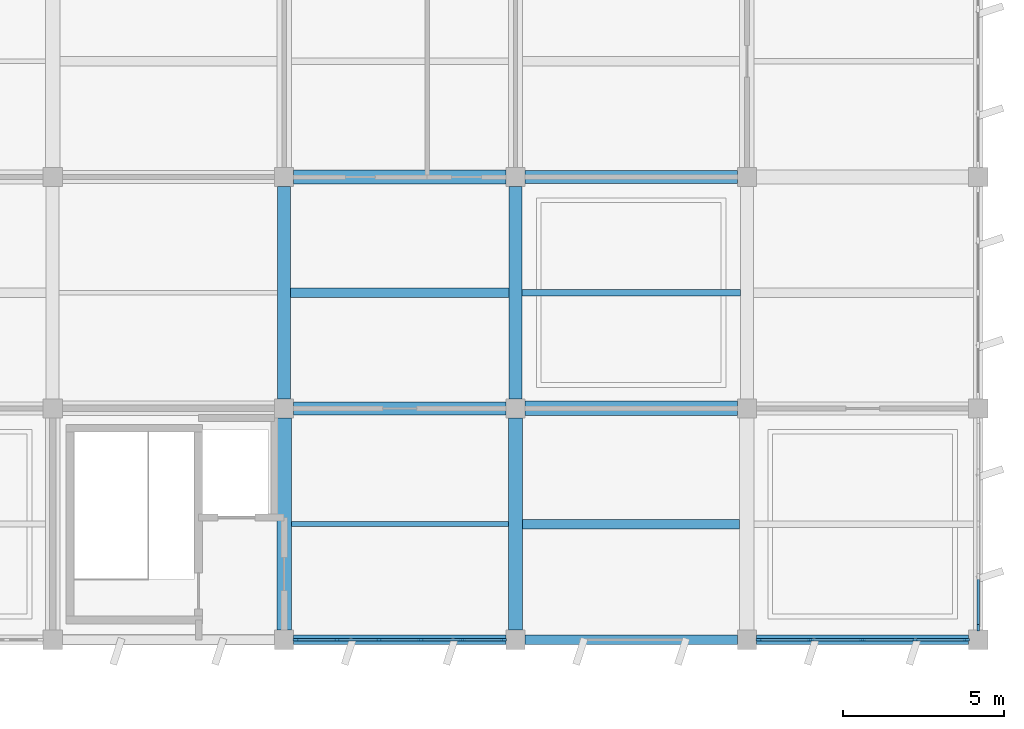
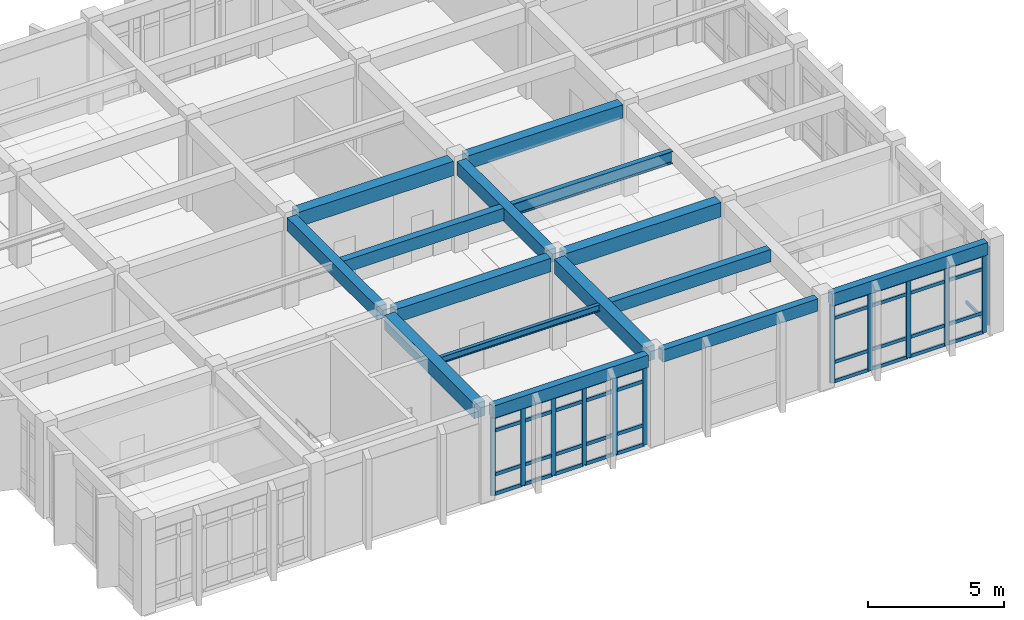
# One storey, part 22 of 70: 51 members, 13 beams, 3 elements without a shape of their own.
"""IFC4 building model written with IfcOpenShell, lengths in metres."""

from ifc_helpers import new_model, si_unit, direction, frame, origin, origin_2d, place, context, subcontext, project, spatial, rectangle, i_section, extrude, material, layer, layer_set, material_profile, profile_set, type_object, element, aggregate, save


model = new_model("IFC4")

# Units and contexts
model_context = context("Model", 3, precision=1e-05, world=origin(), true_north=direction((0.0, 1.0)))
body_context = subcontext(model_context, "Body", "Model", "MODEL_VIEW")
ifc_project = project(units=[si_unit("LENGTHUNIT", "METRE"), si_unit("AREAUNIT", "SQUARE_METRE"), si_unit("VOLUMEUNIT", "CUBIC_METRE"), si_unit("PLANEANGLEUNIT", "RADIAN"), si_unit("MASSUNIT", "GRAM", prefix="KILO")], contexts=[model_context])

# Site, building, storey
site_placement = place(None, origin())
site = spatial("IfcSite", under=ifc_project, at=site_placement, CompositionType="ELEMENT")
building_placement = place(site_placement, origin())
building = spatial("IfcBuilding", under=site, at=building_placement, Name="Kavelor Marine Aquarium", CompositionType="ELEMENT")
storey_placement = place(building_placement, frame((0.0, 0.0, 9.179931640625)))
storey = spatial("IfcBuildingStorey", under=building, at=storey_placement, Name="L02", CompositionType="ELEMENT", Elevation=9.179931640625)

# Beams
ifc_material_1 = material(Name="Concrete C40/50", Category="concrete")
ifc_material_profile_1 = material_profile(ifc_material_1, rectangle(XDim=0.449951171875, YDim=0.64990234375, at=origin_2d()), Name="RC-BM 450x650")
ifc_profile_set_1 = profile_set([ifc_material_profile_1], Name="Concrete C40/50")
beam_type_1 = type_object("IfcBeamType", Name="BM-B3", PredefinedType="BEAM", material=ifc_profile_set_1)
for number, where, z_axis, x_axis, name in (
    (1, (133.10009765625, 17.199951171875, 3.755126953125), (1.0, 0.0, 0.0), (0.0, 1.0, 0.0), "bm:x:L02:L03:18_02"),
    (2, (140.300048828125, 10.0, 3.755126953125), (1.0, 0.0, 0.0), (0.0, 1.0, 0.0), "bm:x:L02:L03:19_01"),
    (3, (132.800048828125, 3.10009765625, 3.755126953125), (0.0, 1.0, 0.0), (-1.0, 0.0, 0.0), "bm:y:L02:L03:18_00"),
    (4, (140.0, 3.10009765625, 3.755126953125), (0.0, 1.0, 0.0), (-1.0, 0.0, 0.0), "bm:y:L02:L03:19_00"),
):
    element("IfcBeam", number, at=place(storey_placement, frame(where, z_axis=z_axis, x_axis=x_axis)), inside=storey, type_object=beam_type_1, Name=name, PredefinedType="BEAM", context=body_context, shape_type="SweptSolid", body=[
        extrude(rectangle(XDim=0.449951171875, YDim=0.64990234375, at=origin_2d()), origin(), (0.0, 0.0, 1.0), 6.599853515625),
    ])
ifc_material_2 = material(Name="Concrete C40/50", Category="concrete")
ifc_material_profile_2 = material_profile(ifc_material_2, rectangle(XDim=0.39990234375, YDim=0.60009765625, at=origin_2d()), Name="RC-BM 400x600")
ifc_profile_set_2 = profile_set([ifc_material_profile_2], Name="Concrete C40/50")
beam_type_2 = type_object("IfcBeamType", Name="BM-B4", PredefinedType="BEAM", material=ifc_profile_set_2)
for number, where, z_axis, x_axis, name in (
    (5, (133.10009765625, 10.0, 3.780029296875), (1.0, 0.0, 0.0), (0.0, 1.0, 0.0), "bm:x:L02:L03:18_01"),
    (6, (140.300048828125, 17.199951171875, 3.780029296875), (1.0, 0.0, 0.0), (0.0, 1.0, 0.0), "bm:x:L02:L03:19_02"),
    (7, (132.800048828125, 10.300048828125, 3.780029296875), (0.0, 1.0, 0.0), (-1.0, 0.0, 0.0), "bm:y:L02:L03:18_01"),
    (8, (140.0, 10.300048828125, 3.780029296875), (0.0, 1.0, 0.0), (-1.0, 0.0, 0.0), "bm:y:L02:L03:19_01"),
):
    element("IfcBeam", number, at=place(storey_placement, frame(where, z_axis=z_axis, x_axis=x_axis)), inside=storey, type_object=beam_type_2, Name=name, PredefinedType="BEAM", context=body_context, shape_type="SweptSolid", body=[
        extrude(rectangle(XDim=0.39990234375, YDim=0.60009765625, at=origin_2d()), origin(), (0.0, 0.0, 1.0), 6.599853515625),
    ])
ifc_material_3 = material(Name="Concrete C40/50", Category="concrete")
ifc_material_profile_3 = material_profile(ifc_material_3, rectangle(XDim=0.300048828125, YDim=0.550048828125, at=origin_2d()), Name="RC-JS 300x550")
ifc_profile_set_3 = profile_set([ifc_material_profile_3], Name="Concrete C40/50")
beam_type_3 = type_object("IfcBeamType", Name="BM-JS2", PredefinedType="JOIST", material=ifc_profile_set_3)
beam_1_placement = place(storey_placement, frame((133.0, 13.60009765625, 3.80517578125), z_axis=(1.0, 0.0, 0.0), x_axis=(0.0, 1.0, 0.0)))
element("IfcBeam", 9, at=beam_1_placement, inside=storey, type_object=beam_type_3, Name="js:L02:L03:18_01", PredefinedType="JOIST", context=body_context, shape_type="SweptSolid", body=[
    extrude(rectangle(XDim=0.300048828125, YDim=0.550048828125, at=origin_2d()), origin(), (0.0, 0.0, 1.0), 6.800048828125),
])
beam_2_placement = place(storey_placement, frame((140.22509765625, 6.39990234375, 3.80517578125), z_axis=(1.0, 0.0, 0.0), x_axis=(0.0, 1.0, 0.0)))
element("IfcBeam", 10, at=beam_2_placement, inside=storey, type_object=beam_type_3, Name="js:L02:L03:19_00", PredefinedType="JOIST", context=body_context, shape_type="SweptSolid", body=[
    extrude(rectangle(XDim=0.300048828125, YDim=0.550048828125, at=origin_2d()), origin(), (0.0, 0.0, 1.0), 6.75),
])
ifc_material_4 = material(Name="Concrete C40/50", Category="concrete")
ifc_material_profile_4 = material_profile(ifc_material_4, rectangle(XDim=0.300048828125, YDim=0.550048828125, at=origin_2d()), Name="RC-SP 300x550")
ifc_profile_set_4 = profile_set([ifc_material_profile_4], Name="Concrete C40/50")
beam_type_4 = type_object("IfcBeamType", Name="BM-SP2", PredefinedType="SPANDREL", material=ifc_profile_set_4)
for number, where, z_axis, x_axis, name in (
    (11, (133.10009765625, 2.800048828125, 3.80517578125), (1.0, 0.0, 0.0), (0.0, 1.0, 0.0), "bm:x:L02:L03:18_00"),
    (12, (140.300048828125, 2.800048828125, 3.80517578125), (1.0, 0.0, 0.0), (0.0, 1.0, 0.0), "bm:x:L02:L03:19_00"),
):
    element("IfcBeam", number, at=place(storey_placement, frame(where, z_axis=z_axis, x_axis=x_axis)), inside=storey, type_object=beam_type_4, Name=name, PredefinedType="SPANDREL", context=body_context, shape_type="SweptSolid", body=[
        extrude(rectangle(XDim=0.300048828125, YDim=0.550048828125, at=origin_2d()), origin(), (0.0, 0.0, 1.0), 6.599853515625),
    ])
beam_3_placement = place(storey_placement, frame((147.5, 2.800048828125, 3.80517578125), z_axis=(1.0, 0.0, 0.0), x_axis=(0.0, 1.0, 0.0)))
element("IfcBeam", 13, at=beam_3_placement, inside=storey, type_object=beam_type_4, Name="bm:x:L02:L03:20_00", PredefinedType="SPANDREL", context=body_context, shape_type="SweptSolid", body=[
    extrude(rectangle(XDim=0.300048828125, YDim=0.550048828125, at=origin_2d()), origin(), (0.0, 0.0, 1.0), 6.60009765625),
])

# Curtain wall, members
ifc_material_5 = material(Name="Thermally Broken Aluminium and Low-E Glass", Category="aluminium")
ifc_layer_1 = layer(ifc_material_5, 0.2041015625)
ifc_layer_set_1 = layer_set([ifc_layer_1], Name="CW-SYS8")
curtain_wall_type_1 = type_object("IfcCurtainWallType", Name="CW-SYS8", PredefinedType="USERDEFINED", material=ifc_layer_set_1)
curtain_wall_1_placement = place(storey_placement, origin())
curtain_wall_1 = element("IfcCurtainWall", 14, at=curtain_wall_1_placement, inside=storey, type_object=curtain_wall_type_1, Name="cw:x:L02:18_00", ObjectType="Curtain Wall", PredefinedType="USERDEFINED")
ifc_material_6 = material(Name="Anodised Aluminium Alloy 6063-T6", Category="aluminium")
ifc_material_profile_5 = material_profile(ifc_material_6, rectangle(XDim=0.080078125, YDim=0.18505859375, at=origin_2d()), Name="CW-MUL 80x185")
ifc_profile_set_5 = profile_set([ifc_material_profile_5], Name="Anodised Aluminium Alloy 6063-T6")
member_type_1 = type_object("IfcMemberType", Name="CWM-2", PredefinedType="MULLION", material=ifc_profile_set_5)
member_1_placement = place(storey_placement, frame((139.62255859375, 2.800048828125, 0.0), z_axis=(0.0, 0.0, 1.0), x_axis=(0.0, -1.0, 0.0)))
member_1 = element("IfcMember", 15, at=member_1_placement, type_object=member_type_1, Name="CW08 mullion 1", PredefinedType="MULLION", context=body_context, shape_type="SweptSolid", body=[
    extrude(rectangle(XDim=0.080078125, YDim=0.18505859375, at=origin_2d()), origin(), (0.0, 0.0, 1.0), 3.52001953125),
])
member_2_placement = place(storey_placement, frame((138.35302734375, 2.800048828125, 0.0), z_axis=(0.0, 0.0, 1.0), x_axis=(0.0, -1.0, 0.0)))
member_2 = element("IfcMember", 16, at=member_2_placement, type_object=member_type_1, Name="CW08 mullion 2", PredefinedType="MULLION", context=body_context, shape_type="SweptSolid", body=[
    extrude(rectangle(XDim=0.080078125, YDim=0.18505859375, at=origin_2d()), origin(), (0.0, 0.0, 1.0), 3.52001953125),
])
member_3_placement = place(storey_placement, frame((137.051025390625, 2.800048828125, 0.0), z_axis=(0.0, 0.0, 1.0), x_axis=(0.0, -1.0, 0.0)))
member_3 = element("IfcMember", 17, at=member_3_placement, type_object=member_type_1, Name="CW08 mullion 3", PredefinedType="MULLION", context=body_context, shape_type="SweptSolid", body=[
    extrude(rectangle(XDim=0.080078125, YDim=0.18505859375, at=origin_2d()), origin(), (0.0, 0.0, 1.0), 3.52001953125),
])
member_4_placement = place(storey_placement, frame((135.7490234375, 2.800048828125, 0.0), z_axis=(0.0, 0.0, 1.0), x_axis=(0.0, -1.0, 0.0)))
member_4 = element("IfcMember", 18, at=member_4_placement, type_object=member_type_1, Name="CW08 mullion 4", PredefinedType="MULLION", context=body_context, shape_type="SweptSolid", body=[
    extrude(rectangle(XDim=0.080078125, YDim=0.18505859375, at=origin_2d()), origin(), (0.0, 0.0, 1.0), 3.52001953125),
])
member_5_placement = place(storey_placement, frame((134.447021484375, 2.800048828125, 0.0), z_axis=(0.0, 0.0, 1.0), x_axis=(0.0, -1.0, 0.0)))
member_5 = element("IfcMember", 19, at=member_5_placement, type_object=member_type_1, Name="CW08 mullion 5", PredefinedType="MULLION", context=body_context, shape_type="SweptSolid", body=[
    extrude(rectangle(XDim=0.080078125, YDim=0.18505859375, at=origin_2d()), origin(), (0.0, 0.0, 1.0), 3.52001953125),
])
member_6_placement = place(storey_placement, frame((133.177490234375, 2.800048828125, 0.0), z_axis=(0.0, 0.0, 1.0), x_axis=(0.0, -1.0, 0.0)))
member_6 = element("IfcMember", 20, at=member_6_placement, type_object=member_type_1, Name="CW08 mullion 6", PredefinedType="MULLION", context=body_context, shape_type="SweptSolid", body=[
    extrude(rectangle(XDim=0.080078125, YDim=0.18505859375, at=origin_2d()), origin(), (0.0, 0.0, 1.0), 3.52001953125),
])

ifc_material_7 = material(Name="Thermally Broken Aluminium and Low-E Glass", Category="aluminium")
ifc_layer_2 = layer(ifc_material_7, 0.236083984375)
ifc_layer_set_2 = layer_set([ifc_layer_2], Name="CW-SYS12")
curtain_wall_type_2 = type_object("IfcCurtainWallType", Name="CW-SYS12", PredefinedType="USERDEFINED", material=ifc_layer_set_2)
curtain_wall_2_placement = place(storey_placement, origin())
curtain_wall_2 = element("IfcCurtainWall", 21, at=curtain_wall_2_placement, inside=storey, type_object=curtain_wall_type_2, Name="cw:x:L02:20_00", ObjectType="Curtain Wall", PredefinedType="USERDEFINED")
ifc_material_8 = material(Name="Anodised Aluminium Alloy 6063-T6", Category="aluminium")
ifc_material_profile_6 = material_profile(ifc_material_8, rectangle(XDim=0.0849609375, YDim=0.18994140625, at=origin_2d()), Name="CW-MUL 85x190")
ifc_profile_set_6 = profile_set([ifc_material_profile_6], Name="Anodised Aluminium Alloy 6063-T6")
member_type_2 = type_object("IfcMemberType", Name="CWM-3", PredefinedType="MULLION", material=ifc_profile_set_6)
member_7_placement = place(storey_placement, frame((154.02490234375, 2.800048828125, 0.0), z_axis=(0.0, 0.0, 1.0), x_axis=(0.0, -1.0, 0.0)))
member_7 = element("IfcMember", 22, at=member_7_placement, type_object=member_type_2, Name="CW12 mullion 1", PredefinedType="MULLION", context=body_context, shape_type="SweptSolid", body=[
    extrude(rectangle(XDim=0.0849609375, YDim=0.18994140625, at=origin_2d()), origin(), (0.0, 0.0, 1.0), 3.52001953125),
])
member_8_placement = place(storey_placement, frame((152.427490234375, 2.800048828125, 0.0), z_axis=(0.0, 0.0, 1.0), x_axis=(0.0, -1.0, 0.0)))
member_8 = element("IfcMember", 23, at=member_8_placement, type_object=member_type_2, Name="CW12 mullion 2", PredefinedType="MULLION", context=body_context, shape_type="SweptSolid", body=[
    extrude(rectangle(XDim=0.0849609375, YDim=0.18994140625, at=origin_2d()), origin(), (0.0, 0.0, 1.0), 3.52001953125),
])
member_9_placement = place(storey_placement, frame((150.800048828125, 2.800048828125, 0.0), z_axis=(0.0, 0.0, 1.0), x_axis=(0.0, -1.0, 0.0)))
member_9 = element("IfcMember", 24, at=member_9_placement, type_object=member_type_2, Name="CW12 mullion 3", PredefinedType="MULLION", context=body_context, shape_type="SweptSolid", body=[
    extrude(rectangle(XDim=0.0849609375, YDim=0.18994140625, at=origin_2d()), origin(), (0.0, 0.0, 1.0), 3.52001953125),
])
member_10_placement = place(storey_placement, frame((149.172607421875, 2.800048828125, 0.0), z_axis=(0.0, 0.0, 1.0), x_axis=(0.0, -1.0, 0.0)))
member_10 = element("IfcMember", 25, at=member_10_placement, type_object=member_type_2, Name="CW12 mullion 4", PredefinedType="MULLION", context=body_context, shape_type="SweptSolid", body=[
    extrude(rectangle(XDim=0.0849609375, YDim=0.18994140625, at=origin_2d()), origin(), (0.0, 0.0, 1.0), 3.52001953125),
])
member_11_placement = place(storey_placement, frame((147.574951171875, 2.800048828125, 0.0), z_axis=(0.0, 0.0, 1.0), x_axis=(0.0, -1.0, 0.0)))
member_11 = element("IfcMember", 26, at=member_11_placement, type_object=member_type_2, Name="CW12 mullion 5", PredefinedType="MULLION", context=body_context, shape_type="SweptSolid", body=[
    extrude(rectangle(XDim=0.0849609375, YDim=0.18994140625, at=origin_2d()), origin(), (0.0, 0.0, 1.0), 3.52001953125),
])

# Curtain wall, member
curtain_wall_3_placement = place(storey_placement, origin())
curtain_wall_3 = element("IfcCurtainWall", 27, at=curtain_wall_3_placement, inside=storey, type_object=curtain_wall_type_2, Name="cw:y:L02:21_00", ObjectType="Curtain Wall", PredefinedType="USERDEFINED")
member_12_placement = place(storey_placement, frame((154.39990234375, 3.175048828125, 0.0), z_axis=(0.0, 0.0, 1.0), x_axis=(-1.0, 0.0, 0.0)))
member_12 = element("IfcMember", 28, at=member_12_placement, type_object=member_type_2, Name="CW12 mullion 1", PredefinedType="MULLION", context=body_context, shape_type="SweptSolid", body=[
    extrude(rectangle(XDim=0.0849609375, YDim=0.18994140625, at=origin_2d()), origin(), (0.0, 0.0, 1.0), 3.52001953125),
])

# Member
ifc_material_9 = material(Name="Anodised Aluminium Alloy 6063-T6", Category="aluminium")
ifc_material_profile_7 = material_profile(ifc_material_9, rectangle(XDim=0.074951171875, YDim=0.14990234375, at=origin_2d()), Name="CW-TRN 75x150")
ifc_profile_set_7 = profile_set([ifc_material_profile_7], Name="Anodised Aluminium Alloy 6063-T6")
member_type_3 = type_object("IfcMemberType", Name="CWT-1", PredefinedType="USERDEFINED", material=ifc_profile_set_7)
member_13_placement = place(storey_placement, frame((153.9951171875, 2.800048828125, 0.03759765625), z_axis=(-1.0, 0.0, 0.0), x_axis=(0.0, -1.0, 0.0)))
member_13 = element("IfcMember", 29, at=member_13_placement, type_object=member_type_3, Name="CW12 transom 1.1", ObjectType="TRANSOM", PredefinedType="USERDEFINED", context=body_context, shape_type="SweptSolid", body=[
    extrude(rectangle(XDim=0.074951171875, YDim=0.14990234375, at=origin_2d()), origin(), (0.0, 0.0, 1.0), 1.53759765625),
])

member_14_placement = place(storey_placement, frame((153.9951171875, 2.800048828125, 0.900146484375), z_axis=(-1.0, 0.0, 0.0), x_axis=(0.0, -1.0, 0.0)))
member_14 = element("IfcMember", 30, at=member_14_placement, type_object=member_type_3, Name="CW12 transom 1.2", ObjectType="TRANSOM", PredefinedType="USERDEFINED", context=body_context, shape_type="SweptSolid", body=[
    extrude(rectangle(XDim=0.074951171875, YDim=0.14990234375, at=origin_2d()), origin(), (0.0, 0.0, 1.0), 1.53759765625),
])

member_15_placement = place(storey_placement, frame((153.9951171875, 2.800048828125, 2.8701171875), z_axis=(-1.0, 0.0, 0.0), x_axis=(0.0, -1.0, 0.0)))
member_15 = element("IfcMember", 31, at=member_15_placement, type_object=member_type_3, Name="CW12 transom 1.3", ObjectType="TRANSOM", PredefinedType="USERDEFINED", context=body_context, shape_type="SweptSolid", body=[
    extrude(rectangle(XDim=0.074951171875, YDim=0.14990234375, at=origin_2d()), origin(), (0.0, 0.0, 1.0), 1.53759765625),
])

member_16_placement = place(storey_placement, frame((153.9951171875, 2.800048828125, 3.482666015625), z_axis=(-1.0, 0.0, 0.0), x_axis=(0.0, -1.0, 0.0)))
member_16 = element("IfcMember", 32, at=member_16_placement, type_object=member_type_3, Name="CW12 transom 1.4", ObjectType="TRANSOM", PredefinedType="USERDEFINED", context=body_context, shape_type="SweptSolid", body=[
    extrude(rectangle(XDim=0.074951171875, YDim=0.14990234375, at=origin_2d()), origin(), (0.0, 0.0, 1.0), 1.53759765625),
])

member_17_placement = place(storey_placement, frame((152.3974609375, 2.800048828125, 0.03759765625), z_axis=(-1.0, 0.0, 0.0), x_axis=(0.0, -1.0, 0.0)))
member_17 = element("IfcMember", 33, at=member_17_placement, type_object=member_type_3, Name="CW12 transom 2.1", ObjectType="TRANSOM", PredefinedType="USERDEFINED", context=body_context, shape_type="SweptSolid", body=[
    extrude(rectangle(XDim=0.074951171875, YDim=0.14990234375, at=origin_2d()), origin(), (0.0, 0.0, 1.0), 1.5673828125),
])

member_18_placement = place(storey_placement, frame((152.3974609375, 2.800048828125, 0.900146484375), z_axis=(-1.0, 0.0, 0.0), x_axis=(0.0, -1.0, 0.0)))
member_18 = element("IfcMember", 34, at=member_18_placement, type_object=member_type_3, Name="CW12 transom 2.2", ObjectType="TRANSOM", PredefinedType="USERDEFINED", context=body_context, shape_type="SweptSolid", body=[
    extrude(rectangle(XDim=0.074951171875, YDim=0.14990234375, at=origin_2d()), origin(), (0.0, 0.0, 1.0), 1.5673828125),
])

member_19_placement = place(storey_placement, frame((152.3974609375, 2.800048828125, 2.8701171875), z_axis=(-1.0, 0.0, 0.0), x_axis=(0.0, -1.0, 0.0)))
member_19 = element("IfcMember", 35, at=member_19_placement, type_object=member_type_3, Name="CW12 transom 2.3", ObjectType="TRANSOM", PredefinedType="USERDEFINED", context=body_context, shape_type="SweptSolid", body=[
    extrude(rectangle(XDim=0.074951171875, YDim=0.14990234375, at=origin_2d()), origin(), (0.0, 0.0, 1.0), 1.5673828125),
])

member_20_placement = place(storey_placement, frame((152.3974609375, 2.800048828125, 3.482666015625), z_axis=(-1.0, 0.0, 0.0), x_axis=(0.0, -1.0, 0.0)))
member_20 = element("IfcMember", 36, at=member_20_placement, type_object=member_type_3, Name="CW12 transom 2.4", ObjectType="TRANSOM", PredefinedType="USERDEFINED", context=body_context, shape_type="SweptSolid", body=[
    extrude(rectangle(XDim=0.074951171875, YDim=0.14990234375, at=origin_2d()), origin(), (0.0, 0.0, 1.0), 1.5673828125),
])

member_21_placement = place(storey_placement, frame((150.77001953125, 2.800048828125, 0.03759765625), z_axis=(-1.0, 0.0, 0.0), x_axis=(0.0, -1.0, 0.0)))
member_21 = element("IfcMember", 37, at=member_21_placement, type_object=member_type_3, Name="CW12 transom 3.1", ObjectType="TRANSOM", PredefinedType="USERDEFINED", context=body_context, shape_type="SweptSolid", body=[
    extrude(rectangle(XDim=0.074951171875, YDim=0.14990234375, at=origin_2d()), origin(), (0.0, 0.0, 1.0), 1.567626953125),
])

member_22_placement = place(storey_placement, frame((150.77001953125, 2.800048828125, 0.900146484375), z_axis=(-1.0, 0.0, 0.0), x_axis=(0.0, -1.0, 0.0)))
member_22 = element("IfcMember", 38, at=member_22_placement, type_object=member_type_3, Name="CW12 transom 3.2", ObjectType="TRANSOM", PredefinedType="USERDEFINED", context=body_context, shape_type="SweptSolid", body=[
    extrude(rectangle(XDim=0.074951171875, YDim=0.14990234375, at=origin_2d()), origin(), (0.0, 0.0, 1.0), 1.567626953125),
])

member_23_placement = place(storey_placement, frame((150.77001953125, 2.800048828125, 2.8701171875), z_axis=(-1.0, 0.0, 0.0), x_axis=(0.0, -1.0, 0.0)))
member_23 = element("IfcMember", 39, at=member_23_placement, type_object=member_type_3, Name="CW12 transom 3.3", ObjectType="TRANSOM", PredefinedType="USERDEFINED", context=body_context, shape_type="SweptSolid", body=[
    extrude(rectangle(XDim=0.074951171875, YDim=0.14990234375, at=origin_2d()), origin(), (0.0, 0.0, 1.0), 1.567626953125),
])

member_24_placement = place(storey_placement, frame((150.77001953125, 2.800048828125, 3.482666015625), z_axis=(-1.0, 0.0, 0.0), x_axis=(0.0, -1.0, 0.0)))
member_24 = element("IfcMember", 40, at=member_24_placement, type_object=member_type_3, Name="CW12 transom 3.4", ObjectType="TRANSOM", PredefinedType="USERDEFINED", context=body_context, shape_type="SweptSolid", body=[
    extrude(rectangle(XDim=0.074951171875, YDim=0.14990234375, at=origin_2d()), origin(), (0.0, 0.0, 1.0), 1.567626953125),
])

member_25_placement = place(storey_placement, frame((149.142578125, 2.800048828125, 0.03759765625), z_axis=(-1.0, 0.0, 0.0), x_axis=(0.0, -1.0, 0.0)))
member_25 = element("IfcMember", 41, at=member_25_placement, type_object=member_type_3, Name="CW12 transom 4.1", ObjectType="TRANSOM", PredefinedType="USERDEFINED", context=body_context, shape_type="SweptSolid", body=[
    extrude(rectangle(XDim=0.074951171875, YDim=0.14990234375, at=origin_2d()), origin(), (0.0, 0.0, 1.0), 1.53759765625),
])

member_26_placement = place(storey_placement, frame((149.142578125, 2.800048828125, 0.900146484375), z_axis=(-1.0, 0.0, 0.0), x_axis=(0.0, -1.0, 0.0)))
member_26 = element("IfcMember", 42, at=member_26_placement, type_object=member_type_3, Name="CW12 transom 4.2", ObjectType="TRANSOM", PredefinedType="USERDEFINED", context=body_context, shape_type="SweptSolid", body=[
    extrude(rectangle(XDim=0.074951171875, YDim=0.14990234375, at=origin_2d()), origin(), (0.0, 0.0, 1.0), 1.53759765625),
])

member_27_placement = place(storey_placement, frame((149.142578125, 2.800048828125, 2.8701171875), z_axis=(-1.0, 0.0, 0.0), x_axis=(0.0, -1.0, 0.0)))
member_27 = element("IfcMember", 43, at=member_27_placement, type_object=member_type_3, Name="CW12 transom 4.3", ObjectType="TRANSOM", PredefinedType="USERDEFINED", context=body_context, shape_type="SweptSolid", body=[
    extrude(rectangle(XDim=0.074951171875, YDim=0.14990234375, at=origin_2d()), origin(), (0.0, 0.0, 1.0), 1.53759765625),
])

member_28_placement = place(storey_placement, frame((149.142578125, 2.800048828125, 3.482666015625), z_axis=(-1.0, 0.0, 0.0), x_axis=(0.0, -1.0, 0.0)))
member_28 = element("IfcMember", 44, at=member_28_placement, type_object=member_type_3, Name="CW12 transom 4.4", ObjectType="TRANSOM", PredefinedType="USERDEFINED", context=body_context, shape_type="SweptSolid", body=[
    extrude(rectangle(XDim=0.074951171875, YDim=0.14990234375, at=origin_2d()), origin(), (0.0, 0.0, 1.0), 1.53759765625),
])

aggregate(curtain_wall_2, [member_7, member_8, member_9, member_10, member_11, member_13, member_14, member_15, member_16, member_17, member_18, member_19, member_20, member_21, member_22, member_23, member_24, member_25, member_26, member_27, member_28])

member_29_placement = place(storey_placement, frame((154.39990234375, 3.205078125, 0.03759765625), z_axis=(0.0, 1.0, 0.0), x_axis=(-1.0, 0.0, 0.0)))
member_29 = element("IfcMember", 45, at=member_29_placement, type_object=member_type_3, Name="CW12 transom 1.1", ObjectType="TRANSOM", PredefinedType="USERDEFINED", context=body_context, shape_type="SweptSolid", body=[
    extrude(rectangle(XDim=0.074951171875, YDim=0.14990234375, at=origin_2d()), origin(), (0.0, 0.0, 1.0), 1.537353515625),
])

aggregate(curtain_wall_3, [member_12, member_29])

ifc_material_10 = material(Name="Anodised Aluminium Alloy 6063-T6", Category="aluminium")
ifc_material_profile_8 = material_profile(ifc_material_10, rectangle(XDim=0.080078125, YDim=0.155029296875, at=origin_2d()), Name="CW-TRN 80x155")
ifc_profile_set_8 = profile_set([ifc_material_profile_8], Name="Anodised Aluminium Alloy 6063-T6")
member_type_4 = type_object("IfcMemberType", Name="CWT-2", PredefinedType="USERDEFINED", material=ifc_profile_set_8)
member_30_placement = place(storey_placement, frame((139.590087890625, 2.800048828125, 0.032470703125), z_axis=(-1.0, 0.0, 0.0), x_axis=(0.0, -1.0, 0.0)))
member_30 = element("IfcMember", 46, at=member_30_placement, type_object=member_type_4, Name="CW08 transom 1.1", ObjectType="TRANSOM", PredefinedType="USERDEFINED", context=body_context, shape_type="SweptSolid", body=[
    extrude(rectangle(XDim=0.080078125, YDim=0.155029296875, at=origin_2d()), origin(), (0.0, 0.0, 1.0), 1.20458984375),
])

member_31_placement = place(storey_placement, frame((139.590087890625, 2.800048828125, 0.900146484375), z_axis=(-1.0, 0.0, 0.0), x_axis=(0.0, -1.0, 0.0)))
member_31 = element("IfcMember", 47, at=member_31_placement, type_object=member_type_4, Name="CW08 transom 1.2", ObjectType="TRANSOM", PredefinedType="USERDEFINED", context=body_context, shape_type="SweptSolid", body=[
    extrude(rectangle(XDim=0.080078125, YDim=0.155029296875, at=origin_2d()), origin(), (0.0, 0.0, 1.0), 1.20458984375),
])

member_32_placement = place(storey_placement, frame((139.590087890625, 2.800048828125, 2.8701171875), z_axis=(-1.0, 0.0, 0.0), x_axis=(0.0, -1.0, 0.0)))
member_32 = element("IfcMember", 48, at=member_32_placement, type_object=member_type_4, Name="CW08 transom 1.3", ObjectType="TRANSOM", PredefinedType="USERDEFINED", context=body_context, shape_type="SweptSolid", body=[
    extrude(rectangle(XDim=0.080078125, YDim=0.155029296875, at=origin_2d()), origin(), (0.0, 0.0, 1.0), 1.20458984375),
])

member_33_placement = place(storey_placement, frame((139.590087890625, 2.800048828125, 3.487548828125), z_axis=(-1.0, 0.0, 0.0), x_axis=(0.0, -1.0, 0.0)))
member_33 = element("IfcMember", 49, at=member_33_placement, type_object=member_type_4, Name="CW08 transom 1.4", ObjectType="TRANSOM", PredefinedType="USERDEFINED", context=body_context, shape_type="SweptSolid", body=[
    extrude(rectangle(XDim=0.080078125, YDim=0.155029296875, at=origin_2d()), origin(), (0.0, 0.0, 1.0), 1.20458984375),
])

member_34_placement = place(storey_placement, frame((138.320556640625, 2.800048828125, 0.032470703125), z_axis=(-1.0, 0.0, 0.0), x_axis=(0.0, -1.0, 0.0)))
member_34 = element("IfcMember", 50, at=member_34_placement, type_object=member_type_4, Name="CW08 transom 2.1", ObjectType="TRANSOM", PredefinedType="USERDEFINED", context=body_context, shape_type="SweptSolid", body=[
    extrude(rectangle(XDim=0.080078125, YDim=0.155029296875, at=origin_2d()), origin(), (0.0, 0.0, 1.0), 1.237060546875),
])

member_35_placement = place(storey_placement, frame((138.320556640625, 2.800048828125, 0.900146484375), z_axis=(-1.0, 0.0, 0.0), x_axis=(0.0, -1.0, 0.0)))
member_35 = element("IfcMember", 51, at=member_35_placement, type_object=member_type_4, Name="CW08 transom 2.2", ObjectType="TRANSOM", PredefinedType="USERDEFINED", context=body_context, shape_type="SweptSolid", body=[
    extrude(rectangle(XDim=0.080078125, YDim=0.155029296875, at=origin_2d()), origin(), (0.0, 0.0, 1.0), 1.237060546875),
])

member_36_placement = place(storey_placement, frame((138.320556640625, 2.800048828125, 2.8701171875), z_axis=(-1.0, 0.0, 0.0), x_axis=(0.0, -1.0, 0.0)))
member_36 = element("IfcMember", 52, at=member_36_placement, type_object=member_type_4, Name="CW08 transom 2.3", ObjectType="TRANSOM", PredefinedType="USERDEFINED", context=body_context, shape_type="SweptSolid", body=[
    extrude(rectangle(XDim=0.080078125, YDim=0.155029296875, at=origin_2d()), origin(), (0.0, 0.0, 1.0), 1.237060546875),
])

member_37_placement = place(storey_placement, frame((138.320556640625, 2.800048828125, 3.487548828125), z_axis=(-1.0, 0.0, 0.0), x_axis=(0.0, -1.0, 0.0)))
member_37 = element("IfcMember", 53, at=member_37_placement, type_object=member_type_4, Name="CW08 transom 2.4", ObjectType="TRANSOM", PredefinedType="USERDEFINED", context=body_context, shape_type="SweptSolid", body=[
    extrude(rectangle(XDim=0.080078125, YDim=0.155029296875, at=origin_2d()), origin(), (0.0, 0.0, 1.0), 1.237060546875),
])

member_38_placement = place(storey_placement, frame((137.0185546875, 2.800048828125, 0.032470703125), z_axis=(-1.0, 0.0, 0.0), x_axis=(0.0, -1.0, 0.0)))
member_38 = element("IfcMember", 54, at=member_38_placement, type_object=member_type_4, Name="CW08 transom 3.1", ObjectType="TRANSOM", PredefinedType="USERDEFINED", context=body_context, shape_type="SweptSolid", body=[
    extrude(rectangle(XDim=0.080078125, YDim=0.155029296875, at=origin_2d()), origin(), (0.0, 0.0, 1.0), 1.237060546875),
])

member_39_placement = place(storey_placement, frame((137.0185546875, 2.800048828125, 0.900146484375), z_axis=(-1.0, 0.0, 0.0), x_axis=(0.0, -1.0, 0.0)))
member_39 = element("IfcMember", 55, at=member_39_placement, type_object=member_type_4, Name="CW08 transom 3.2", ObjectType="TRANSOM", PredefinedType="USERDEFINED", context=body_context, shape_type="SweptSolid", body=[
    extrude(rectangle(XDim=0.080078125, YDim=0.155029296875, at=origin_2d()), origin(), (0.0, 0.0, 1.0), 1.237060546875),
])

member_40_placement = place(storey_placement, frame((137.0185546875, 2.800048828125, 2.8701171875), z_axis=(-1.0, 0.0, 0.0), x_axis=(0.0, -1.0, 0.0)))
member_40 = element("IfcMember", 56, at=member_40_placement, type_object=member_type_4, Name="CW08 transom 3.3", ObjectType="TRANSOM", PredefinedType="USERDEFINED", context=body_context, shape_type="SweptSolid", body=[
    extrude(rectangle(XDim=0.080078125, YDim=0.155029296875, at=origin_2d()), origin(), (0.0, 0.0, 1.0), 1.237060546875),
])

member_41_placement = place(storey_placement, frame((137.0185546875, 2.800048828125, 3.487548828125), z_axis=(-1.0, 0.0, 0.0), x_axis=(0.0, -1.0, 0.0)))
member_41 = element("IfcMember", 57, at=member_41_placement, type_object=member_type_4, Name="CW08 transom 3.4", ObjectType="TRANSOM", PredefinedType="USERDEFINED", context=body_context, shape_type="SweptSolid", body=[
    extrude(rectangle(XDim=0.080078125, YDim=0.155029296875, at=origin_2d()), origin(), (0.0, 0.0, 1.0), 1.237060546875),
])

member_42_placement = place(storey_placement, frame((135.716552734375, 2.800048828125, 0.032470703125), z_axis=(-1.0, 0.0, 0.0), x_axis=(0.0, -1.0, 0.0)))
member_42 = element("IfcMember", 58, at=member_42_placement, type_object=member_type_4, Name="CW08 transom 4.1", ObjectType="TRANSOM", PredefinedType="USERDEFINED", context=body_context, shape_type="SweptSolid", body=[
    extrude(rectangle(XDim=0.080078125, YDim=0.155029296875, at=origin_2d()), origin(), (0.0, 0.0, 1.0), 1.237060546875),
])

member_43_placement = place(storey_placement, frame((135.716552734375, 2.800048828125, 0.900146484375), z_axis=(-1.0, 0.0, 0.0), x_axis=(0.0, -1.0, 0.0)))
member_43 = element("IfcMember", 59, at=member_43_placement, type_object=member_type_4, Name="CW08 transom 4.2", ObjectType="TRANSOM", PredefinedType="USERDEFINED", context=body_context, shape_type="SweptSolid", body=[
    extrude(rectangle(XDim=0.080078125, YDim=0.155029296875, at=origin_2d()), origin(), (0.0, 0.0, 1.0), 1.237060546875),
])

member_44_placement = place(storey_placement, frame((135.716552734375, 2.800048828125, 2.8701171875), z_axis=(-1.0, 0.0, 0.0), x_axis=(0.0, -1.0, 0.0)))
member_44 = element("IfcMember", 60, at=member_44_placement, type_object=member_type_4, Name="CW08 transom 4.3", ObjectType="TRANSOM", PredefinedType="USERDEFINED", context=body_context, shape_type="SweptSolid", body=[
    extrude(rectangle(XDim=0.080078125, YDim=0.155029296875, at=origin_2d()), origin(), (0.0, 0.0, 1.0), 1.237060546875),
])

member_45_placement = place(storey_placement, frame((135.716552734375, 2.800048828125, 3.487548828125), z_axis=(-1.0, 0.0, 0.0), x_axis=(0.0, -1.0, 0.0)))
member_45 = element("IfcMember", 61, at=member_45_placement, type_object=member_type_4, Name="CW08 transom 4.4", ObjectType="TRANSOM", PredefinedType="USERDEFINED", context=body_context, shape_type="SweptSolid", body=[
    extrude(rectangle(XDim=0.080078125, YDim=0.155029296875, at=origin_2d()), origin(), (0.0, 0.0, 1.0), 1.237060546875),
])

member_46_placement = place(storey_placement, frame((134.41455078125, 2.800048828125, 0.032470703125), z_axis=(-1.0, 0.0, 0.0), x_axis=(0.0, -1.0, 0.0)))
member_46 = element("IfcMember", 62, at=member_46_placement, type_object=member_type_4, Name="CW08 transom 5.1", ObjectType="TRANSOM", PredefinedType="USERDEFINED", context=body_context, shape_type="SweptSolid", body=[
    extrude(rectangle(XDim=0.080078125, YDim=0.155029296875, at=origin_2d()), origin(), (0.0, 0.0, 1.0), 1.20458984375),
])

member_47_placement = place(storey_placement, frame((134.41455078125, 2.800048828125, 0.900146484375), z_axis=(-1.0, 0.0, 0.0), x_axis=(0.0, -1.0, 0.0)))
member_47 = element("IfcMember", 63, at=member_47_placement, type_object=member_type_4, Name="CW08 transom 5.2", ObjectType="TRANSOM", PredefinedType="USERDEFINED", context=body_context, shape_type="SweptSolid", body=[
    extrude(rectangle(XDim=0.080078125, YDim=0.155029296875, at=origin_2d()), origin(), (0.0, 0.0, 1.0), 1.20458984375),
])

member_48_placement = place(storey_placement, frame((134.41455078125, 2.800048828125, 2.8701171875), z_axis=(-1.0, 0.0, 0.0), x_axis=(0.0, -1.0, 0.0)))
member_48 = element("IfcMember", 64, at=member_48_placement, type_object=member_type_4, Name="CW08 transom 5.3", ObjectType="TRANSOM", PredefinedType="USERDEFINED", context=body_context, shape_type="SweptSolid", body=[
    extrude(rectangle(XDim=0.080078125, YDim=0.155029296875, at=origin_2d()), origin(), (0.0, 0.0, 1.0), 1.20458984375),
])

member_49_placement = place(storey_placement, frame((134.41455078125, 2.800048828125, 3.487548828125), z_axis=(-1.0, 0.0, 0.0), x_axis=(0.0, -1.0, 0.0)))
member_49 = element("IfcMember", 65, at=member_49_placement, type_object=member_type_4, Name="CW08 transom 5.4", ObjectType="TRANSOM", PredefinedType="USERDEFINED", context=body_context, shape_type="SweptSolid", body=[
    extrude(rectangle(XDim=0.080078125, YDim=0.155029296875, at=origin_2d()), origin(), (0.0, 0.0, 1.0), 1.20458984375),
])

aggregate(curtain_wall_1, [member_1, member_2, member_3, member_4, member_5, member_6, member_30, member_31, member_32, member_33, member_34, member_35, member_36, member_37, member_38, member_39, member_40, member_41, member_42, member_43, member_44, member_45, member_46, member_47, member_48, member_49])

# Members
ifc_material_11 = material(Name="Steel S355", Category="steel")
ifc_material_profile_9 = material_profile(ifc_material_11, i_section(OverallWidth=0.2099609375, OverallDepth=0.550048828125, WebThickness=0.010986328125, FlangeThickness=0.01708984375, FilletRadius=0.02392578125, at=origin_2d()), Name="IPE 550")
ifc_profile_set_9 = profile_set([ifc_material_profile_9], Name="Steel S355")
member_type_5 = type_object("IfcMemberType", Name="PR-SJ1", PredefinedType="PURLIN", material=ifc_profile_set_9)
member_50_placement = place(storey_placement, frame((140.199951171875, 13.60009765625, 3.80517578125), z_axis=(1.0, 0.0, 0.0), x_axis=(0.0, 1.0, 0.0)))
element("IfcMember", 66, at=member_50_placement, inside=storey, type_object=member_type_5, Name="js:L02:L03:19_01", PredefinedType="PURLIN", context=body_context, shape_type="SweptSolid", body=[
    extrude(i_section(OverallWidth=0.2099609375, OverallDepth=0.550048828125, WebThickness=0.010986328125, FlangeThickness=0.01708984375, FilletRadius=0.02392578125, at=origin_2d()), origin(), (0.0, 0.0, 1.0), 6.800048828125),
])
ifc_material_12 = material(Name="Steel S355", Category="steel")
ifc_material_profile_10 = material_profile(ifc_material_12, i_section(OverallWidth=0.14990234375, OverallDepth=0.300048828125, WebThickness=0.007080078125, FlangeThickness=0.0107421875, FilletRadius=0.014892578125, at=origin_2d()), Name="IPE 300")
ifc_profile_set_10 = profile_set([ifc_material_profile_10], Name="Steel S355")
member_type_6 = type_object("IfcMemberType", Name="PR-SJ4", PredefinedType="PURLIN", material=ifc_profile_set_10)
member_51_placement = place(storey_placement, frame((133.02490234375, 6.39990234375, 3.93017578125), z_axis=(1.0, 0.0, 0.0), x_axis=(0.0, 1.0, 0.0)))
element("IfcMember", 67, at=member_51_placement, inside=storey, type_object=member_type_6, Name="js:L02:L03:18_00", PredefinedType="PURLIN", context=body_context, shape_type="SweptSolid", body=[
    extrude(i_section(OverallWidth=0.14990234375, OverallDepth=0.300048828125, WebThickness=0.007080078125, FlangeThickness=0.0107421875, FilletRadius=0.014892578125, at=origin_2d()), origin(), (0.0, 0.0, 1.0), 6.75),
])

save(model, "model.ifc")
